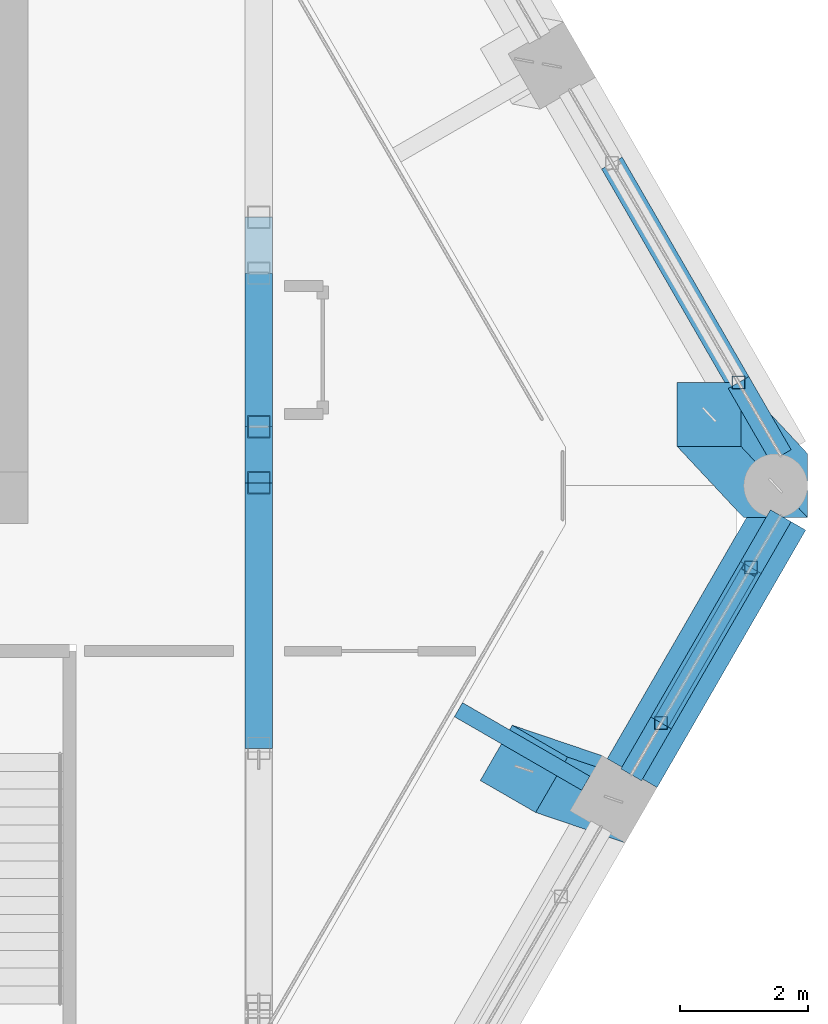
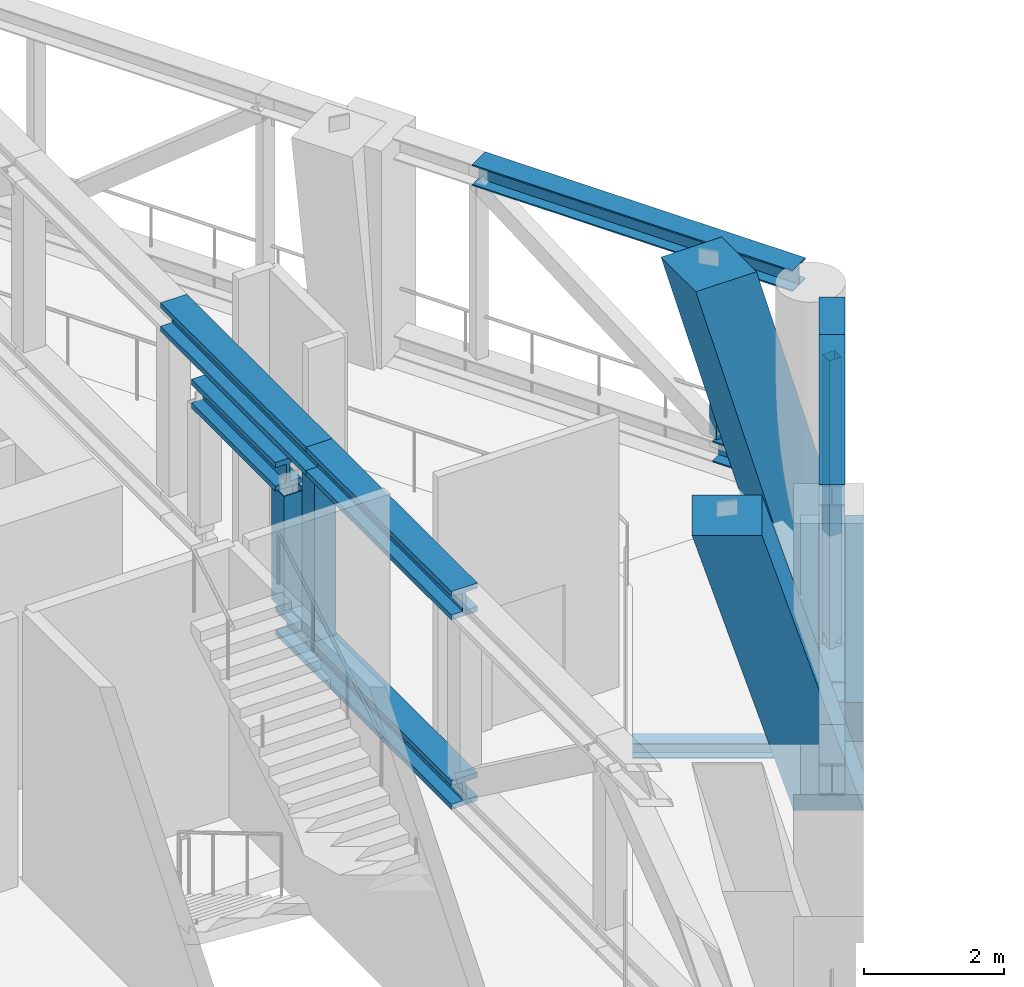
# One storey, part 5 of 22: 19 members, 2 beams.
"""IFC4 building model written with IfcOpenShell, lengths in metres."""

from ifc_helpers import new_model, si_unit, direction, frame, origin, origin_2d, place, context, subcontext, project, spatial, rectangle, hollow_rectangle, i_section, extrude, material, material_profile, profile_set, type_object, element, save


model = new_model("IFC4")

# Units and contexts
model_context = context("Model", 3, precision=1e-05, world=origin(), true_north=direction((0.0, 1.0)))
body_context = subcontext(model_context, "Body", "Model", "MODEL_VIEW")
ifc_project = project(units=[si_unit("LENGTHUNIT", "METRE"), si_unit("AREAUNIT", "SQUARE_METRE"), si_unit("VOLUMEUNIT", "CUBIC_METRE"), si_unit("PLANEANGLEUNIT", "RADIAN"), si_unit("MASSUNIT", "GRAM", prefix="KILO")], contexts=[model_context])

# Site, building, storey
site_placement = place(None, origin())
site = spatial("IfcSite", under=ifc_project, at=site_placement, CompositionType="ELEMENT")
building_placement = place(site_placement, origin())
building = spatial("IfcBuilding", under=site, at=building_placement, Name="Ostrander Bayou Hotel Tower", CompositionType="ELEMENT")
storey_placement = place(building_placement, frame((0.0, 0.0, 209.5)))
storey = spatial("IfcBuildingStorey", under=building, at=storey_placement, Name="L52", CompositionType="ELEMENT", Elevation=209.5)

# Members
ifc_material_1 = material(Name="Steel ASTM A992", Category="steel")
ifc_material_profile_1 = material_profile(ifc_material_1, i_section(OverallWidth=0.37255859375, OverallDepth=0.36767578125, WebThickness=0.014892578125, FlangeThickness=0.02392578125, at=origin_2d()))
ifc_profile_set_1 = profile_set([ifc_material_profile_1], Name="Steel ASTM A992")
member_type_1 = type_object("IfcMemberType", Name="BT5 belt truss chord W14x120", PredefinedType="CHORD", material=ifc_profile_set_1)
member_1_placement = place(storey_placement, frame((17.935546875, -5.634521484375, 0.183837890625), z_axis=(0.500151536022, 0.865937896743, 0.0), x_axis=(-0.865937896743, 0.500151536022, 0.0)))
element("IfcMember", 1, at=member_1_placement, inside=storey, type_object=member_type_1, Name="BT5 L52 SE-3B1", PredefinedType="CHORD", context=body_context, shape_type="SweptSolid", body=[
    extrude(i_section(OverallWidth=0.37255859375, OverallDepth=0.36767578125, WebThickness=0.014892578125, FlangeThickness=0.02392578125, at=origin_2d()), origin(), (0.0, 0.0, 1.0), 0.935791015625),
])
member_2_placement = place(storey_placement, frame((18.403564453125, -4.82421875, 0.183837890625), z_axis=(0.499997217876, 0.866027010039, 0.0), x_axis=(-0.866027010039, 0.499997217876, 0.0)))
element("IfcMember", 2, at=member_2_placement, inside=storey, type_object=member_type_1, Name="BT5 L52 SE-3B2", PredefinedType="CHORD", context=body_context, shape_type="SweptSolid", body=[
    extrude(i_section(OverallWidth=0.37255859375, OverallDepth=0.36767578125, WebThickness=0.014892578125, FlangeThickness=0.02392578125, at=origin_2d()), origin(), (0.0, 0.0, 1.0), 3.7431640625),
])
member_3_placement = place(storey_placement, frame((17.935546875, -5.634521484375, 3.6162109375), z_axis=(0.500025461358, 0.866010703163, 0.0), x_axis=(-0.866010703163, 0.500025461358, 0.0)))
element("IfcMember", 3, at=member_3_placement, inside=storey, type_object=member_type_1, Name="BT5 L52 SE-3T1", PredefinedType="CHORD", context=body_context, shape_type="SweptSolid", body=[
    extrude(i_section(OverallWidth=0.37255859375, OverallDepth=0.36767578125, WebThickness=0.014892578125, FlangeThickness=0.02392578125, at=origin_2d()), origin(), (0.0, 0.0, 1.0), 3.742919921875),
])
member_4_placement = place(storey_placement, frame((19.80712890625, -2.39306640625, 3.6162109375), z_axis=(0.500038560046, 0.866003139987, 0.0), x_axis=(-0.866003139987, 0.500038560046, 0.0)))
element("IfcMember", 4, at=member_4_placement, inside=storey, type_object=member_type_1, Name="BT5 L52 SE-3T2", PredefinedType="CHORD", context=body_context, shape_type="SweptSolid", body=[
    extrude(i_section(OverallWidth=0.37255859375, OverallDepth=0.36767578125, WebThickness=0.014892578125, FlangeThickness=0.02392578125, at=origin_2d()), origin(), (0.0, 0.0, 1.0), 0.93603515625),
])
member_5_placement = place(storey_placement, frame((20.275146484375, -0.64306640625, 0.183837890625), z_axis=(-0.499994358189, 0.866028661061, 0.0), x_axis=(-0.866028661061, -0.499994358189, 0.0)))
element("IfcMember", 5, at=member_5_placement, inside=storey, type_object=member_type_1, Name="BT5 L52 NE-1B1", PredefinedType="CHORD", context=body_context, shape_type="SweptSolid", body=[
    extrude(i_section(OverallWidth=0.37255859375, OverallDepth=0.36767578125, WebThickness=0.014892578125, FlangeThickness=0.02392578125, at=origin_2d()), origin(), (0.0, 0.0, 1.0), 1.3212890625),
])
member_6_placement = place(storey_placement, frame((20.275146484375, -0.64306640625, 3.6162109375), z_axis=(-0.499994358189, 0.866028661061, 0.0), x_axis=(-0.866028661061, -0.499994358189, 0.0)))
element("IfcMember", 6, at=member_6_placement, inside=storey, type_object=member_type_1, Name="BT5 L52 NE-1T1", PredefinedType="CHORD", context=body_context, shape_type="SweptSolid", body=[
    extrude(i_section(OverallWidth=0.37255859375, OverallDepth=0.36767578125, WebThickness=0.014892578125, FlangeThickness=0.02392578125, at=origin_2d()), origin(), (0.0, 0.0, 1.0), 5.28515625),
])
ifc_material_2 = material(Name="Steel ASTM A500 Gr C", Category="steel")
ifc_material_profile_2 = material_profile(ifc_material_2, hollow_rectangle(XDim=0.25390625, YDim=0.25390625, WallThickness=0.01171875, at=origin_2d()))
ifc_profile_set_2 = profile_set([ifc_material_profile_2], Name="Steel ASTM A500 Gr C")
member_type_2 = type_object("IfcMemberType", Name="BT6 belt truss diagonal HSS10x10x1/2", PredefinedType="BRACE", material=ifc_profile_set_2)
member_7_placement = place(storey_placement, frame((18.403564453125, -4.82421875, 0.367919921875), z_axis=(0.337744127465, 0.585015832545, 0.737350242445), x_axis=(-0.866034968174, 0.499983433625, 0.0)))
element("IfcMember", 7, at=member_7_placement, inside=storey, type_object=member_type_2, Name="BT6 L52 SE-3D", PredefinedType="BRACE", context=body_context, shape_type="SweptSolid", body=[
    extrude(hollow_rectangle(XDim=0.25390625, YDim=0.25390625, WallThickness=0.01171875, at=origin_2d()), origin(), (0.0, 0.0, 1.0), 4.15576171875),
])
ifc_material_3 = material(Name="Steel ASTM A500 Gr C", Category="steel")
ifc_material_profile_3 = material_profile(ifc_material_3, hollow_rectangle(XDim=0.203125, YDim=0.203125, WallThickness=0.0087890625, at=origin_2d()))
ifc_profile_set_3 = profile_set([ifc_material_profile_3], Name="Steel ASTM A500 Gr C")
member_type_3 = type_object("IfcMemberType", Name="BT9 belt truss vertical HSS8x8x3/8", PredefinedType="POST", material=ifc_profile_set_3)
for number, where, z_axis, x_axis, name in (
    (8, (18.403564453125, -4.82421875, 0.367919921875), (0.0, 0.0, 1.0), (1.0, 0.0, 0.0), "BT9 L52 SE-3V1"),
    (9, (19.80712890625, -2.39306640625, 0.367919921875), (0.0, 0.0, 1.0), (1.0, 0.0, 0.0), "BT9 L52 SE-3V2"),
    (10, (19.614501953125, 0.501220703125, 0.367919921875), (0.0, 0.0, 1.0), (1.0, 0.0, 0.0), "BT9 L52 NE-1V1"),
):
    element("IfcMember", number, at=place(storey_placement, frame(where, z_axis=z_axis, x_axis=x_axis)), inside=storey, type_object=member_type_3, Name=name, PredefinedType="POST", context=body_context, shape_type="SweptSolid", body=[
        extrude(hollow_rectangle(XDim=0.203125, YDim=0.203125, WallThickness=0.0087890625, at=origin_2d()), origin(), (0.0, 0.0, 1.0), 3.064208984375),
    ])
ifc_material_4 = material(Name="Concrete f'c 60 MPa", Category="concrete")
ifc_material_profile_4 = material_profile(ifc_material_4, rectangle(XDim=1.0, YDim=1.0, at=origin_2d()))
ifc_profile_set_4 = profile_set([ifc_material_profile_4], Name="Concrete f'c 60 MPa")
member_type_4 = type_object("IfcMemberType", Name="KC3 kinked column 1000 x 1000 mm f'c 60 MPa", PredefinedType="STRUT", material=ifc_profile_set_4)
member_8_placement = place(storey_placement, frame((20.194580078125, -1.11279296875, -1.199951171875), z_axis=(0.0, 0.0, 1.0), x_axis=(1.0, 0.0, 0.0)))
element("IfcMember", 11, at=member_8_placement, inside=storey, type_object=member_type_4, Name="KC3 L52 K4", PredefinedType="STRUT", context=body_context, shape_type="SweptSolid", body=[
    extrude(rectangle(XDim=1.0, YDim=1.0, at=origin_2d()), origin(), (-0.198890260499, 0.212903195715, 0.956616377412), 5.226806640625),
])
member_9_placement = place(storey_placement, frame((17.6572265625, -6.0166015625, -1.199951171875), z_axis=(0.0, 0.0, 1.0), x_axis=(-0.5, -0.866025403784, 0.0)))
element("IfcMember", 12, at=member_9_placement, inside=storey, type_object=member_type_4, Name="KC3 L52 SE2", PredefinedType="STRUT", context=body_context, shape_type="SweptSolid", body=[
    extrude(rectangle(XDim=1.0, YDim=1.0, at=origin_2d()), origin(), (0.05539652918, -0.278094843585, 0.958954890767), 5.214111328125),
])

# Beams
ifc_material_5 = material(Name="Steel ASTM A992", Category="steel")
ifc_material_profile_5 = material_profile(ifc_material_5, i_section(OverallWidth=0.25390625, OverallDepth=0.25341796875, WebThickness=0.008544921875, FlangeThickness=0.01416015625, at=origin_2d()))
ifc_profile_set_5 = profile_set([ifc_material_profile_5], Name="Steel ASTM A992")
beam_type_1 = type_object("IfcBeamType", Name="LB2 loggia bracket W10x49", PredefinedType="BEAM", material=ifc_profile_set_5)
beam_1_placement = place(storey_placement, frame((17.224365234375, -5.7666015625, -0.4267578125), z_axis=(-0.866053019151, 0.499952165731, 0.0), x_axis=(-0.499952165731, -0.866053019151, 0.0)))
element("IfcBeam", 13, at=beam_1_placement, inside=storey, type_object=beam_type_1, Name="LB2 L52 SE2", PredefinedType="BEAM", context=body_context, shape_type="SweptSolid", body=[
    extrude(i_section(OverallWidth=0.25390625, OverallDepth=0.25341796875, WebThickness=0.008544921875, FlangeThickness=0.01416015625, at=origin_2d()), origin(), (0.0, 0.0, 1.0), 2.300048828125),
])
ifc_material_6 = material(Name="Concrete f'c 60 MPa", Category="concrete")
ifc_material_profile_6 = material_profile(ifc_material_6, rectangle(XDim=0.89990234375, YDim=1.5, at=origin_2d()))
ifc_profile_set_6 = profile_set([ifc_material_profile_6], Name="Concrete f'c 60 MPa")
beam_type_2 = type_object("IfcBeamType", Name="SPB3 belt spandrel beam 900 x 1500 mm f'c 60 MPa", PredefinedType="SPANDREL", material=ifc_profile_set_6)
beam_2_placement = place(storey_placement, frame((17.935546875, -5.634521484375, -0.75), z_axis=(0.500028081597, 0.86600919026, 0.0), x_axis=(-0.86600919026, 0.500028081597, 0.0)))
element("IfcBeam", 14, at=beam_2_placement, inside=storey, type_object=beam_type_2, Name="SP3 L52 SE-3", PredefinedType="SPANDREL", context=body_context, shape_type="SweptSolid", body=[
    extrude(rectangle(XDim=0.89990234375, YDim=1.5, at=origin_2d()), origin(), (0.0, 0.0, 1.0), 4.678955078125),
])

# Members
ifc_material_7 = material(Name="Steel ASTM A992", Category="steel")
ifc_material_profile_7 = material_profile(ifc_material_7, i_section(OverallWidth=0.43212890625, OverallDepth=0.497802734375, WebThickness=0.0556640625, FlangeThickness=0.0888671875, at=origin_2d()))
ifc_profile_set_7 = profile_set([ifc_material_profile_7], Name="Steel ASTM A992")
member_type_5 = type_object("IfcMemberType", Name="TT1 through-truss chord W14x500", PredefinedType="CHORD", material=ifc_profile_set_7)
member_10_placement = place(storey_placement, frame((12.110107421875, 2.21044921875, 2.748779296875), z_axis=(0.0, -1.0, 0.0), x_axis=(1.0, 0.0, 0.0)))
element("IfcMember", 15, at=member_10_placement, inside=storey, type_object=member_type_5, Name="TT1 SB4B B7 (over the passage)", PredefinedType="CHORD", context=body_context, shape_type="SweptSolid", body=[
    extrude(i_section(OverallWidth=0.43212890625, OverallDepth=0.497802734375, WebThickness=0.0556640625, FlangeThickness=0.0888671875, at=origin_2d()), origin(), (0.0, 0.0, 1.0), 2.400146484375),
])
member_11_placement = place(storey_placement, frame((12.110107421875, -0.189697265625, 0.248779296875), z_axis=(0.0, -1.0, 0.0), x_axis=(1.0, 0.0, 0.0)))
element("IfcMember", 16, at=member_11_placement, inside=storey, type_object=member_type_5, Name="TT1 SB4B B7", PredefinedType="CHORD", context=body_context, shape_type="SweptSolid", body=[
    extrude(i_section(OverallWidth=0.43212890625, OverallDepth=0.497802734375, WebThickness=0.0556640625, FlangeThickness=0.0888671875, at=origin_2d()), origin(), (0.0, 0.0, 1.0), 0.877197265625),
])
for number, where, z_axis, x_axis, name in (
    (17, (12.110107421875, 3.087890625, 3.551025390625), (0.0, -1.0, 0.0), (1.0, 0.0, 0.0), "TT1 SB4B T7"),
    (18, (12.110107421875, -1.06689453125, 0.248779296875), (0.0, -1.0, 0.0), (1.0, 0.0, 0.0), "TT1 SB4B B8"),
    (19, (12.110107421875, -1.06689453125, 3.551025390625), (0.0, -1.0, 0.0), (1.0, 0.0, 0.0), "TT1 SB4B T8"),
):
    element("IfcMember", number, at=place(storey_placement, frame(where, z_axis=z_axis, x_axis=x_axis)), inside=storey, type_object=member_type_5, Name=name, PredefinedType="CHORD", context=body_context, shape_type="SweptSolid", body=[
        extrude(i_section(OverallWidth=0.43212890625, OverallDepth=0.497802734375, WebThickness=0.0556640625, FlangeThickness=0.0888671875, at=origin_2d()), origin(), (0.0, 0.0, 1.0), 4.15478515625),
    ])
ifc_material_8 = material(Name="Steel ASTM A500 Gr C", Category="steel")
ifc_material_profile_8 = material_profile(ifc_material_8, hollow_rectangle(XDim=0.355712890625, YDim=0.355712890625, WallThickness=0.0146484375, at=origin_2d()))
ifc_profile_set_8 = profile_set([ifc_material_profile_8], Name="Steel ASTM A500 Gr C")
member_type_6 = type_object("IfcMemberType", Name="TT2 through-truss post HSS14x14x5/8", PredefinedType="POST", material=ifc_profile_set_8)
member_12_placement = place(storey_placement, frame((12.110107421875, -1.06689453125, 0.497802734375), z_axis=(0.0, 0.0, 1.0), x_axis=(1.0, 0.0, 0.0)))
element("IfcMember", 20, at=member_12_placement, inside=storey, type_object=member_type_6, Name="TT2 SB4B P8", PredefinedType="POST", context=body_context, shape_type="SweptSolid", body=[
    extrude(hollow_rectangle(XDim=0.355712890625, YDim=0.355712890625, WallThickness=0.0146484375, at=origin_2d()), origin(), (0.0, 0.0, 1.0), 2.804443359375),
])
member_13_placement = place(storey_placement, frame((12.110107421875, -0.189697265625, 0.497802734375), z_axis=(0.0, 0.0, 1.0), x_axis=(1.0, 0.0, 0.0)))
element("IfcMember", 21, at=member_13_placement, inside=storey, type_object=member_type_6, Name="TT2 SB4B KN7b", PredefinedType="POST", context=body_context, shape_type="SweptSolid", body=[
    extrude(hollow_rectangle(XDim=0.355712890625, YDim=0.355712890625, WallThickness=0.0146484375, at=origin_2d()), origin(), (0.0, 0.0, 1.0), 2.002197265625),
])

save(model, "model.ifc")
